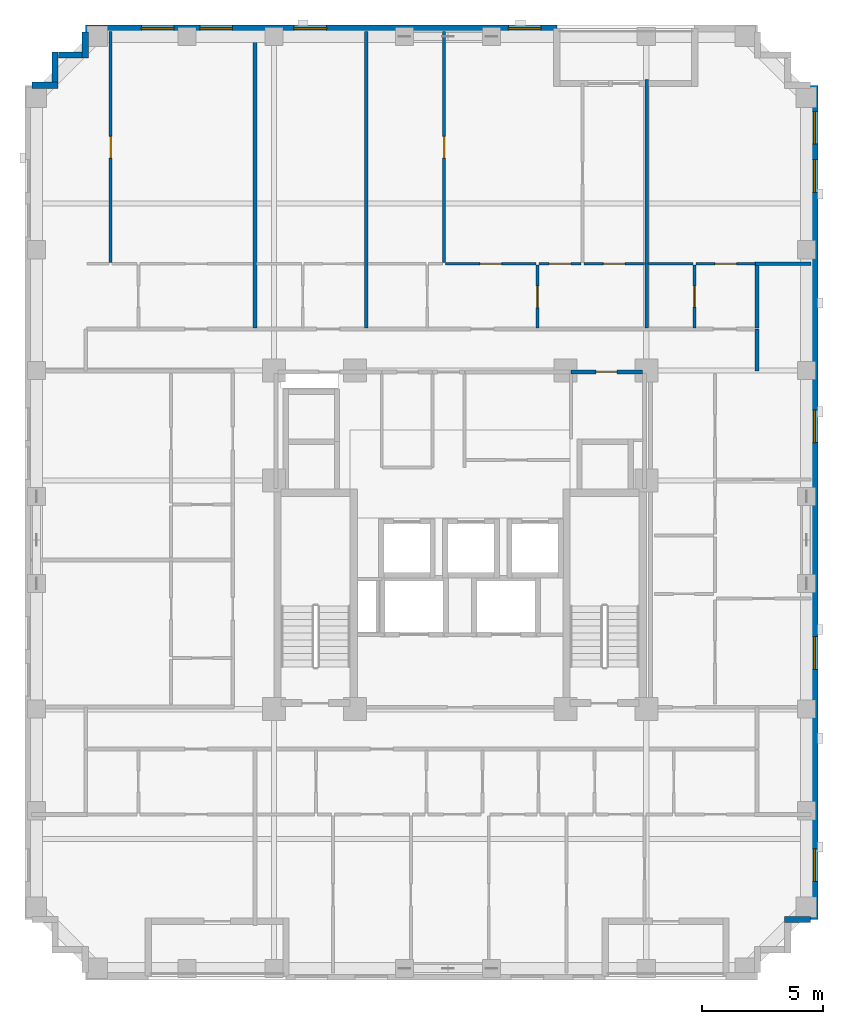
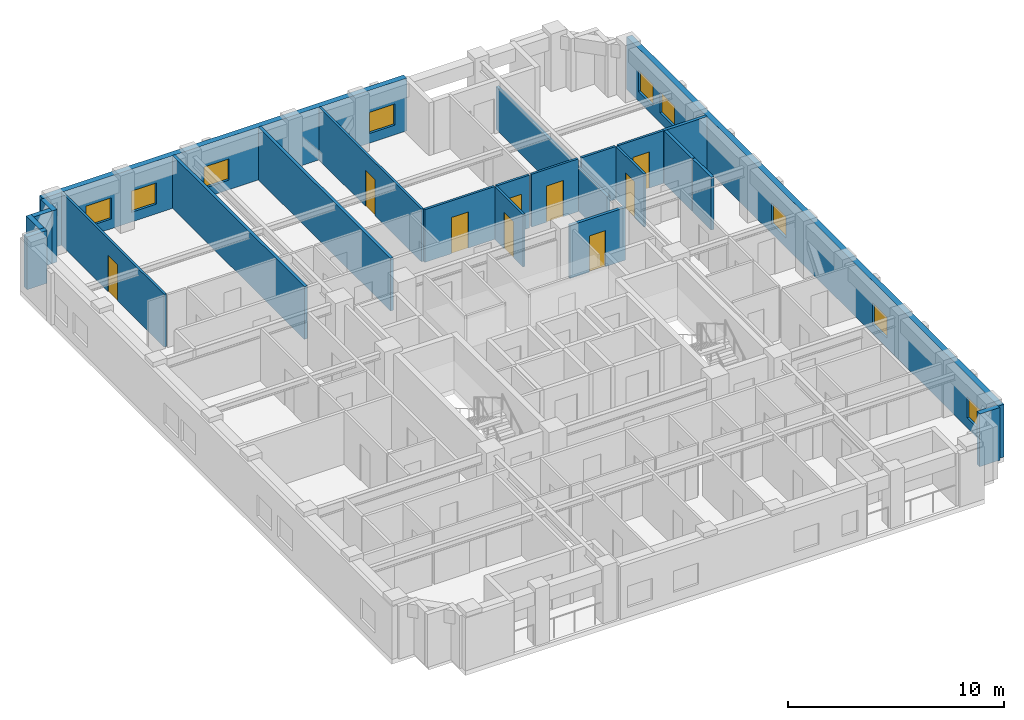
# One storey, part 7 of 11: 23 walls, 9 doors, 9 windows, 18 openings.
"""IFC4 building model written with IfcOpenShell, lengths in metres."""

from ifc_helpers import new_model, si_unit, derived_unit, direction, frame, frame_2d, origin, place, context, subcontext, project, spatial, rectangle, extrude, material, layer, layer_set, type_object, element, fill, save


model = new_model("IFC4")

# Units and contexts
model_context = context("Model", 3, precision=1e-05, world=origin(), true_north=direction((0.0, 1.0)))
body_context = subcontext(model_context, "Body", "Model", "MODEL_VIEW")
ifc_project = project(units=[si_unit("LENGTHUNIT", "METRE"), si_unit("AREAUNIT", "SQUARE_METRE"), si_unit("VOLUMEUNIT", "CUBIC_METRE"), si_unit("PLANEANGLEUNIT", "RADIAN"), si_unit("MASSUNIT", "GRAM", prefix="KILO"), derived_unit("THERMALTRANSMITTANCEUNIT", [(si_unit("MASSUNIT", "GRAM", prefix="KILO"), 1), (si_unit("TIMEUNIT", "SECOND"), -3), (si_unit("THERMODYNAMICTEMPERATUREUNIT", "KELVIN"), -1)])], contexts=[model_context])

# Site, building, storey
site_placement = place(None, origin())
site = spatial("IfcSite", under=ifc_project, at=site_placement, CompositionType="ELEMENT")
building_placement = place(site_placement, origin())
building = spatial("IfcBuilding", under=site, at=building_placement, Name="Korrvale Station Residences", CompositionType="ELEMENT")
storey_placement = place(building_placement, frame((0.0, 0.0, 143.89990234375)))
storey = spatial("IfcBuildingStorey", under=building, at=storey_placement, Name="L41", CompositionType="ELEMENT", Elevation=143.89990234375)

# Walls
ifc_material_1 = material(Name="Precast concrete C45/55", Category="concrete")
ifc_layer_1 = layer(ifc_material_1, 0.260009765625, Name="Precast concrete C45/55")
ifc_layer_set_1 = layer_set([ifc_layer_1], Name="Precast concrete C45/55")
wall_type_1 = type_object("IfcWallType", Name="WAL-EXT-LOG260", PredefinedType="SOLIDWALL", material=ifc_layer_set_1)
wall_1_placement = place(storey_placement, frame((7.802001953125, 40.800048828125, 0.0), z_axis=(0.0, 0.0, 1.0), x_axis=(1.0, 0.0, 0.0)))
element("IfcWall", 1, at=wall_1_placement, inside=storey, type_object=wall_type_1, Name="L41 Serrated Corner Precast Step NW-1", PredefinedType="SOLIDWALL", context=body_context, shape_type="SweptSolid", body=[
    extrude(rectangle(XDim=1.077880859375, YDim=0.260009765625, at=frame_2d((0.5390625, 0.0))), origin(), (0.0, 0.0, 1.0), 2.989990234375),
])
wall_2_placement = place(storey_placement, frame((8.75, 40.931884765625, 0.0), z_axis=(0.0, 0.0, 1.0), x_axis=(0.0, 1.0, 0.0)))
element("IfcWall", 2, at=wall_2_placement, inside=storey, type_object=wall_type_1, Name="L41 Serrated Corner Precast Step NW-2", PredefinedType="SOLIDWALL", context=body_context, shape_type="SweptSolid", body=[
    extrude(rectangle(XDim=1.248046875, YDim=0.260009765625, at=frame_2d((0.6240234375, 0.0))), origin(), (0.0, 0.0, 1.0), 2.989990234375),
])
wall_3_placement = place(storey_placement, frame((8.882080078125, 42.050048828125, 0.0), z_axis=(0.0, 0.0, 1.0), x_axis=(1.0, 0.0, 0.0)))
element("IfcWall", 3, at=wall_3_placement, inside=storey, type_object=wall_type_1, Name="L41 Serrated Corner Precast Step NW-3", PredefinedType="SOLIDWALL", context=body_context, shape_type="SweptSolid", body=[
    extrude(rectangle(XDim=0.98583984375, YDim=0.260009765625, at=frame_2d((0.492919921875, 0.0))), origin(), (0.0, 0.0, 1.0), 2.989990234375),
])
for number, where, z_axis, x_axis, name in (
    (4, (10.0, 41.919921875, 0.0), (0.0, 0.0, 1.0), (0.0, 1.0, 0.0), "L41 Serrated Corner Precast Step NW-4"),
    (5, (39.998046875, 6.300048828125, 0.0), (0.0, 0.0, 1.0), (-1.0, 0.0, 0.0), "L41 Serrated Corner Precast Step SE-1"),
):
    element("IfcWall", number, at=place(storey_placement, frame(where, z_axis=z_axis, x_axis=x_axis)), inside=storey, type_object=wall_type_1, Name=name, PredefinedType="SOLIDWALL", context=body_context, shape_type="SweptSolid", body=[
        extrude(rectangle(XDim=1.078125, YDim=0.260009765625, at=frame_2d((0.5390625, 0.0))), origin(), (0.0, 0.0, 1.0), 2.989990234375),
    ])

# Wall, openings, windows
ifc_layer_2 = layer(ifc_material_1, 0.300048828125, Name="Precast concrete C45/55")
ifc_layer_set_2 = layer_set([ifc_layer_2], Name="Precast concrete C45/55")
wall_type_2 = type_object("IfcWallType", Name="WAL-EXT-PC300", PredefinedType="SOLIDWALL", material=ifc_layer_set_2)
wall_4_placement = place(storey_placement, frame((10.0, 43.14990234375, 0.0), z_axis=(0.0, 0.0, 1.0), x_axis=(1.0, 0.0, 0.0)))
wall_4 = element("IfcWall", 6, at=wall_4_placement, inside=storey, type_object=wall_type_2, Name="L41 North Exterior Precast Wall 1", PredefinedType="SOLIDWALL", context=body_context, shape_type="SweptSolid", body=[
    extrude(rectangle(XDim=19.5, YDim=0.300048828125, at=frame_2d((9.75, 0.0))), origin(), (0.0, 0.0, 1.0), 2.989990234375),
])
opening_1_placement = place(wall_4_placement, frame((2.31494140625, 0.0, 0.550048828125)))
opening_1 = element("IfcOpeningElement", 7, at=opening_1_placement, cuts=wall_4, Name="Opening W-10", PredefinedType="OPENING", context=body_context, shape_type="SweptSolid", body=[
    extrude(rectangle(XDim=1.35009765625, YDim=1.199951171875, at=frame_2d((0.675048828125, 0.60009765625))), frame((0.0, 0.16015625, 0.0), z_axis=(0.0, -1.0, 0.0), x_axis=(1.0, 0.0, 0.0)), (0.0, 0.0, 1.0), 0.320068359375),
])
opening_2_placement = place(wall_4_placement, frame((4.735107421875, 0.0, 0.550048828125)))
opening_2 = element("IfcOpeningElement", 8, at=opening_2_placement, cuts=wall_4, Name="Opening W-10", PredefinedType="OPENING", context=body_context, shape_type="SweptSolid", body=[
    extrude(rectangle(XDim=1.35009765625, YDim=1.199951171875, at=frame_2d((0.675048828125, 0.60009765625))), frame((0.0, 0.16015625, 0.0), z_axis=(0.0, -1.0, 0.0), x_axis=(1.0, 0.0, 0.0)), (0.0, 0.0, 1.0), 0.320068359375),
])
opening_3_placement = place(wall_4_placement, frame((8.625, 0.0, 0.550048828125)))
opening_3 = element("IfcOpeningElement", 9, at=opening_3_placement, cuts=wall_4, Name="Opening W-10", PredefinedType="OPENING", context=body_context, shape_type="SweptSolid", body=[
    extrude(rectangle(XDim=1.35009765625, YDim=1.199951171875, at=frame_2d((0.675048828125, 0.60009765625))), frame((0.0, 0.16015625, 0.0), z_axis=(0.0, -1.0, 0.0), x_axis=(1.0, 0.0, 0.0)), (0.0, 0.0, 1.0), 0.320068359375),
])
opening_4_placement = place(wall_4_placement, frame((17.5, 0.0, 0.550048828125)))
opening_4 = element("IfcOpeningElement", 10, at=opening_4_placement, cuts=wall_4, Name="Opening W-10", PredefinedType="OPENING", context=body_context, shape_type="SweptSolid", body=[
    extrude(rectangle(XDim=1.35009765625, YDim=1.199951171875, at=frame_2d((0.675048828125, 0.60009765625))), frame((0.0, 0.16015625, 0.0), z_axis=(0.0, -1.0, 0.0), x_axis=(1.0, 0.0, 0.0)), (0.0, 0.0, 1.0), 0.320068359375),
])
ifc_material_2 = material(Name="Thermally broken aluminium frame with triple low-e glazing", Category="aluminium")
window_type = type_object("IfcWindowType", Name="WIN-W10", PartitioningType="SINGLE_PANEL", PredefinedType="WINDOW", material=ifc_material_2)
window_1_placement = place(opening_1_placement, origin())
window_1 = element("IfcWindow", 11, at=window_1_placement, inside=storey, type_object=window_type, Name="L41 Punched Window 09", OverallHeight=1.199951171875, OverallWidth=1.35009765625, PartitioningType="SINGLE_PANEL", PredefinedType="WINDOW", context=body_context, shape_type="SweptSolid", body=[
    extrude(rectangle(XDim=1.35009765625, YDim=1.199951171875, at=frame_2d((0.675048828125, 0.60009765625))), frame((0.0, 0.030029296875, 0.0), z_axis=(0.0, -1.0, 0.0), x_axis=(1.0, 0.0, 0.0)), (0.0, 0.0, 1.0), 0.06005859375),
])
fill(opening_1, window_1)
window_2_placement = place(opening_2_placement, origin())
window_2 = element("IfcWindow", 12, at=window_2_placement, inside=storey, type_object=window_type, Name="L41 Punched Window 10", OverallHeight=1.199951171875, OverallWidth=1.35009765625, PartitioningType="SINGLE_PANEL", PredefinedType="WINDOW", context=body_context, shape_type="SweptSolid", body=[
    extrude(rectangle(XDim=1.35009765625, YDim=1.199951171875, at=frame_2d((0.675048828125, 0.60009765625))), frame((0.0, 0.030029296875, 0.0), z_axis=(0.0, -1.0, 0.0), x_axis=(1.0, 0.0, 0.0)), (0.0, 0.0, 1.0), 0.06005859375),
])
fill(opening_2, window_2)
window_3_placement = place(opening_3_placement, origin())
window_3 = element("IfcWindow", 13, at=window_3_placement, inside=storey, type_object=window_type, Name="L41 Punched Window 11", OverallHeight=1.199951171875, OverallWidth=1.35009765625, PartitioningType="SINGLE_PANEL", PredefinedType="WINDOW", context=body_context, shape_type="SweptSolid", body=[
    extrude(rectangle(XDim=1.35009765625, YDim=1.199951171875, at=frame_2d((0.675048828125, 0.60009765625))), frame((0.0, 0.030029296875, 0.0), z_axis=(0.0, -1.0, 0.0), x_axis=(1.0, 0.0, 0.0)), (0.0, 0.0, 1.0), 0.06005859375),
])
fill(opening_3, window_3)
window_4_placement = place(opening_4_placement, origin())
window_4 = element("IfcWindow", 14, at=window_4_placement, inside=storey, type_object=window_type, Name="L41 Punched Window 12", OverallHeight=1.199951171875, OverallWidth=1.35009765625, PartitioningType="SINGLE_PANEL", PredefinedType="WINDOW", context=body_context, shape_type="SweptSolid", body=[
    extrude(rectangle(XDim=1.35009765625, YDim=1.199951171875, at=frame_2d((0.675048828125, 0.60009765625))), frame((0.0, 0.030029296875, 0.0), z_axis=(0.0, -1.0, 0.0), x_axis=(1.0, 0.0, 0.0)), (0.0, 0.0, 1.0), 0.06005859375),
])
fill(opening_4, window_4)

wall_5_placement = place(storey_placement, frame((40.14990234375, 40.800048828125, 0.0), z_axis=(0.0, 0.0, 1.0), x_axis=(0.0, -1.0, 0.0)))
wall_5 = element("IfcWall", 15, at=wall_5_placement, inside=storey, type_object=wall_type_2, Name="L41 East Exterior Precast Wall 1", PredefinedType="SOLIDWALL", context=body_context, shape_type="SweptSolid", body=[
    extrude(rectangle(XDim=34.5, YDim=0.300048828125, at=frame_2d((17.25, 0.0))), origin(), (0.0, 0.0, 1.0), 2.989990234375),
])
opening_5_placement = place(wall_5_placement, frame((31.574951171875, 0.0, 0.550048828125)))
opening_5 = element("IfcOpeningElement", 16, at=opening_5_placement, cuts=wall_5, Name="Opening W-10", PredefinedType="OPENING", context=body_context, shape_type="SweptSolid", body=[
    extrude(rectangle(XDim=1.35009765625, YDim=1.199951171875, at=frame_2d((0.675048828125, 0.60009765625))), frame((0.0, 0.16015625, 0.0), z_axis=(0.0, -1.0, 0.0), x_axis=(1.0, 0.0, 0.0)), (0.0, 0.0, 1.0), 0.320068359375),
])
opening_6_placement = place(wall_5_placement, frame((3.074951171875, 0.0, 0.550048828125)))
opening_6 = element("IfcOpeningElement", 17, at=opening_6_placement, cuts=wall_5, Name="Opening W-10", PredefinedType="OPENING", context=body_context, shape_type="SweptSolid", body=[
    extrude(rectangle(XDim=1.35009765625, YDim=1.199951171875, at=frame_2d((0.675048828125, 0.60009765625))), frame((0.0, 0.16015625, 0.0), z_axis=(0.0, -1.0, 0.0), x_axis=(1.0, 0.0, 0.0)), (0.0, 0.0, 1.0), 0.320068359375),
])
opening_7_placement = place(wall_5_placement, frame((1.0849609375, 0.0, 0.550048828125)))
opening_7 = element("IfcOpeningElement", 18, at=opening_7_placement, cuts=wall_5, Name="Opening W-10", PredefinedType="OPENING", context=body_context, shape_type="SweptSolid", body=[
    extrude(rectangle(XDim=1.35009765625, YDim=1.199951171875, at=frame_2d((0.675048828125, 0.60009765625))), frame((0.0, 0.16015625, 0.0), z_axis=(0.0, -1.0, 0.0), x_axis=(1.0, 0.0, 0.0)), (0.0, 0.0, 1.0), 0.320068359375),
])
opening_8_placement = place(wall_5_placement, frame((22.800048828125, 0.0, 0.550048828125)))
opening_8 = element("IfcOpeningElement", 19, at=opening_8_placement, cuts=wall_5, Name="Opening W-10", PredefinedType="OPENING", context=body_context, shape_type="SweptSolid", body=[
    extrude(rectangle(XDim=1.35009765625, YDim=1.199951171875, at=frame_2d((0.675048828125, 0.60009765625))), frame((0.0, 0.16015625, 0.0), z_axis=(0.0, -1.0, 0.0), x_axis=(1.0, 0.0, 0.0)), (0.0, 0.0, 1.0), 0.320068359375),
])
opening_9_placement = place(wall_5_placement, frame((13.425048828125, 0.0, 0.550048828125)))
opening_9 = element("IfcOpeningElement", 20, at=opening_9_placement, cuts=wall_5, Name="Opening W-10", PredefinedType="OPENING", context=body_context, shape_type="SweptSolid", body=[
    extrude(rectangle(XDim=1.35009765625, YDim=1.199951171875, at=frame_2d((0.675048828125, 0.60009765625))), frame((0.0, 0.16015625, 0.0), z_axis=(0.0, -1.0, 0.0), x_axis=(1.0, 0.0, 0.0)), (0.0, 0.0, 1.0), 0.320068359375),
])
window_5_placement = place(opening_5_placement, origin())
window_5 = element("IfcWindow", 21, at=window_5_placement, inside=storey, type_object=window_type, Name="L41 Punched Window 06", OverallHeight=1.199951171875, OverallWidth=1.35009765625, PartitioningType="SINGLE_PANEL", PredefinedType="WINDOW", context=body_context, shape_type="SweptSolid", body=[
    extrude(rectangle(XDim=1.35009765625, YDim=1.199951171875, at=frame_2d((0.675048828125, 0.60009765625))), frame((0.0, 0.030029296875, 0.0), z_axis=(0.0, -1.0, 0.0), x_axis=(1.0, 0.0, 0.0)), (0.0, 0.0, 1.0), 0.06005859375),
])
fill(opening_5, window_5)
window_6_placement = place(opening_6_placement, origin())
window_6 = element("IfcWindow", 22, at=window_6_placement, inside=storey, type_object=window_type, Name="L41 Punched Window 14", OverallHeight=1.199951171875, OverallWidth=1.35009765625, PartitioningType="SINGLE_PANEL", PredefinedType="WINDOW", context=body_context, shape_type="SweptSolid", body=[
    extrude(rectangle(XDim=1.35009765625, YDim=1.199951171875, at=frame_2d((0.675048828125, 0.60009765625))), frame((0.0, 0.030029296875, 0.0), z_axis=(0.0, -1.0, 0.0), x_axis=(1.0, 0.0, 0.0)), (0.0, 0.0, 1.0), 0.06005859375),
])
fill(opening_6, window_6)
window_7_placement = place(opening_7_placement, origin())
window_7 = element("IfcWindow", 23, at=window_7_placement, inside=storey, type_object=window_type, Name="L41 Punched Window 15", OverallHeight=1.199951171875, OverallWidth=1.35009765625, PartitioningType="SINGLE_PANEL", PredefinedType="WINDOW", context=body_context, shape_type="SweptSolid", body=[
    extrude(rectangle(XDim=1.35009765625, YDim=1.199951171875, at=frame_2d((0.675048828125, 0.60009765625))), frame((0.0, 0.030029296875, 0.0), z_axis=(0.0, -1.0, 0.0), x_axis=(1.0, 0.0, 0.0)), (0.0, 0.0, 1.0), 0.06005859375),
])
fill(opening_7, window_7)
window_8_placement = place(opening_8_placement, origin())
window_8 = element("IfcWindow", 24, at=window_8_placement, inside=storey, type_object=window_type, Name="L41 Punched Window 20", OverallHeight=1.199951171875, OverallWidth=1.35009765625, PartitioningType="SINGLE_PANEL", PredefinedType="WINDOW", context=body_context, shape_type="SweptSolid", body=[
    extrude(rectangle(XDim=1.35009765625, YDim=1.199951171875, at=frame_2d((0.675048828125, 0.60009765625))), frame((0.0, 0.030029296875, 0.0), z_axis=(0.0, -1.0, 0.0), x_axis=(1.0, 0.0, 0.0)), (0.0, 0.0, 1.0), 0.06005859375),
])
fill(opening_8, window_8)
window_9_placement = place(opening_9_placement, origin())
window_9 = element("IfcWindow", 25, at=window_9_placement, inside=storey, type_object=window_type, Name="L41 Punched Window 21", OverallHeight=1.199951171875, OverallWidth=1.35009765625, PartitioningType="SINGLE_PANEL", PredefinedType="WINDOW", context=body_context, shape_type="SweptSolid", body=[
    extrude(rectangle(XDim=1.35009765625, YDim=1.199951171875, at=frame_2d((0.675048828125, 0.60009765625))), frame((0.0, 0.030029296875, 0.0), z_axis=(0.0, -1.0, 0.0), x_axis=(1.0, 0.0, 0.0)), (0.0, 0.0, 1.0), 0.06005859375),
])
fill(opening_9, window_9)

# Wall, opening, door
ifc_material_3 = material(Name="Acoustic steel-stud gypsum board partition", Category="steel")
ifc_layer_3 = layer(ifc_material_3, 0.1201171875, Name="Acoustic steel-stud gypsum board partition")
ifc_layer_set_3 = layer_set([ifc_layer_3], Name="Acoustic steel-stud gypsum board partition")
wall_type_3 = type_object("IfcWallType", Name="WAL-PART-125", PredefinedType="PARTITIONING", material=ifc_layer_set_3)
wall_6_placement = place(storey_placement, frame((11.050048828125, 33.47998046875, 0.0), z_axis=(0.0, 0.0, 1.0), x_axis=(0.0, 1.0, 0.0)))
wall_6 = element("IfcWall", 26, at=wall_6_placement, inside=storey, type_object=wall_type_3, Name="L41 Suite Partition U03-V23", PredefinedType="PARTITIONING", context=body_context, shape_type="SweptSolid", body=[
    extrude(rectangle(XDim=9.5400390625, YDim=0.1201171875, at=frame_2d((4.77001953125, 0.0))), origin(), (0.0, 0.0, 1.0), 2.989990234375),
])
opening_10_placement = place(wall_6_placement, frame((4.304931640625, 0.0, 0.0)))
opening_10 = element("IfcOpeningElement", 27, at=opening_10_placement, cuts=wall_6, Name="Opening DI-900", PredefinedType="OPENING", context=body_context, shape_type="SweptSolid", body=[
    extrude(rectangle(XDim=0.89990234375, YDim=2.050048828125, at=frame_2d((0.449951171875, 1.02490234375))), frame((0.0, 0.070068359375, 0.0), z_axis=(0.0, -1.0, 0.0), x_axis=(1.0, 0.0, 0.0)), (0.0, 0.0, 1.0), 0.14013671875),
])
ifc_material_4 = material(Name="Painted solid-core timber interior room door", Category="wood")
door_type_1 = type_object("IfcDoorType", Name="DR-INT-900", OperationType="NOTDEFINED", PredefinedType="DOOR", material=ifc_material_4)
door_1_placement = place(opening_10_placement, origin())
door_1 = element("IfcDoor", 28, at=door_1_placement, inside=storey, type_object=door_type_1, Name="L41 Studio Apartment L41-U03 Walk-In Wardrobe Door", OperationType="SINGLE_SWING_RIGHT", OverallHeight=2.050048828125, OverallWidth=0.89990234375, PredefinedType="DOOR", context=body_context, shape_type="SweptSolid", body=[
    extrude(rectangle(XDim=0.89990234375, YDim=2.050048828125, at=frame_2d((0.449951171875, 1.02490234375))), frame((0.0, 0.02490234375, 0.0), z_axis=(0.0, -1.0, 0.0), x_axis=(1.0, 0.0, 0.0)), (0.0, 0.0, 1.0), 0.050048828125),
])
fill(opening_10, door_1)

wall_7_placement = place(storey_placement, frame((28.700927734375, 30.760009765625, 0.0), z_axis=(0.0, 0.0, 1.0), x_axis=(0.0, 1.0, 0.0)))
wall_7 = element("IfcWall", 29, at=wall_7_placement, inside=storey, type_object=wall_type_3, Name="L41 Suite Partition U05-V12", PredefinedType="PARTITIONING", context=body_context, shape_type="SweptSolid", body=[
    extrude(rectangle(XDim=2.60009765625, YDim=0.1201171875, at=frame_2d((1.300048828125, 0.0))), origin(), (0.0, 0.0, 1.0), 2.989990234375),
])
opening_11_placement = place(wall_7_placement, frame((0.85009765625, 0.0, 0.0)))
opening_11 = element("IfcOpeningElement", 30, at=opening_11_placement, cuts=wall_7, Name="Opening DI-900", PredefinedType="OPENING", context=body_context, shape_type="SweptSolid", body=[
    extrude(rectangle(XDim=0.89990234375, YDim=2.050048828125, at=frame_2d((0.449951171875, 1.02490234375))), frame((0.0, 0.070068359375, 0.0), z_axis=(0.0, -1.0, 0.0), x_axis=(1.0, 0.0, 0.0)), (0.0, 0.0, 1.0), 0.14013671875),
])
door_2_placement = place(opening_11_placement, origin())
door_2 = element("IfcDoor", 31, at=door_2_placement, inside=storey, type_object=door_type_1, Name="L41 Studio Apartment L41-U05 Kitchen Door", OperationType="SINGLE_SWING_RIGHT", OverallHeight=2.050048828125, OverallWidth=0.89990234375, PredefinedType="DOOR", context=body_context, shape_type="SweptSolid", body=[
    extrude(rectangle(XDim=0.89990234375, YDim=2.050048828125, at=frame_2d((0.449951171875, 1.02490234375))), frame((0.0, 0.02490234375, 0.0), z_axis=(0.0, -1.0, 0.0), x_axis=(1.0, 0.0, 0.0)), (0.0, 0.0, 1.0), 0.050048828125),
])
fill(opening_11, door_2)

wall_8_placement = place(storey_placement, frame((24.90087890625, 33.419921875, 0.0), z_axis=(0.0, 0.0, 1.0), x_axis=(1.0, 0.0, 0.0)))
wall_8 = element("IfcWall", 32, at=wall_8_placement, inside=storey, type_object=wall_type_3, Name="L41 Suite Partition U05-H14", PredefinedType="PARTITIONING", context=body_context, shape_type="SweptSolid", body=[
    extrude(rectangle(XDim=3.740234375, YDim=0.1201171875, at=frame_2d((1.8701171875, 0.0))), origin(), (0.0, 0.0, 1.0), 2.989990234375),
])
opening_12_placement = place(wall_8_placement, frame((1.419921875, 0.0, 0.0)))
opening_12 = element("IfcOpeningElement", 33, at=opening_12_placement, cuts=wall_8, Name="Opening DI-900", PredefinedType="OPENING", context=body_context, shape_type="SweptSolid", body=[
    extrude(rectangle(XDim=0.89990234375, YDim=2.050048828125, at=frame_2d((0.449951171875, 1.02490234375))), frame((0.0, 0.070068359375, 0.0), z_axis=(0.0, -1.0, 0.0), x_axis=(1.0, 0.0, 0.0)), (0.0, 0.0, 1.0), 0.14013671875),
])
door_3_placement = place(opening_12_placement, origin())
door_3 = element("IfcDoor", 34, at=door_3_placement, inside=storey, type_object=door_type_1, Name="L41 Studio Apartment L41-U05 Kitchen Door", OperationType="SINGLE_SWING_LEFT", OverallHeight=2.050048828125, OverallWidth=0.89990234375, PredefinedType="DOOR", context=body_context, shape_type="SweptSolid", body=[
    extrude(rectangle(XDim=0.89990234375, YDim=2.050048828125, at=frame_2d((0.449951171875, 1.02490234375))), frame((0.0, 0.02490234375, 0.0), z_axis=(0.0, -1.0, 0.0), x_axis=(1.0, 0.0, 0.0)), (0.0, 0.0, 1.0), 0.050048828125),
])
fill(opening_12, door_3)

wall_9_placement = place(storey_placement, frame((28.760986328125, 33.419921875, 0.0), z_axis=(0.0, 0.0, 1.0), x_axis=(1.0, 0.0, 0.0)))
wall_9 = element("IfcWall", 35, at=wall_9_placement, inside=storey, type_object=wall_type_3, Name="L41 Suite Partition U05-H24", PredefinedType="PARTITIONING", context=body_context, shape_type="SweptSolid", body=[
    extrude(rectangle(XDim=1.739013671875, YDim=0.1201171875, at=frame_2d((0.86962890625, 0.0))), origin(), (0.0, 0.0, 1.0), 2.989990234375),
])
opening_13_placement = place(wall_9_placement, frame((0.419921875, 0.0, 0.0)))
opening_13 = element("IfcOpeningElement", 36, at=opening_13_placement, cuts=wall_9, Name="Opening DI-900", PredefinedType="OPENING", context=body_context, shape_type="SweptSolid", body=[
    extrude(rectangle(XDim=0.89990234375, YDim=2.050048828125, at=frame_2d((0.449951171875, 1.02490234375))), frame((0.0, 0.070068359375, 0.0), z_axis=(0.0, -1.0, 0.0), x_axis=(1.0, 0.0, 0.0)), (0.0, 0.0, 1.0), 0.14013671875),
])
door_4_placement = place(opening_13_placement, origin())
door_4 = element("IfcDoor", 37, at=door_4_placement, inside=storey, type_object=door_type_1, Name="L41 Studio Apartment L41-U05 Utility and Laundry Room Door", OperationType="SINGLE_SWING_RIGHT", OverallHeight=2.050048828125, OverallWidth=0.89990234375, PredefinedType="DOOR", context=body_context, shape_type="SweptSolid", body=[
    extrude(rectangle(XDim=0.89990234375, YDim=2.050048828125, at=frame_2d((0.449951171875, 1.02490234375))), frame((0.0, 0.02490234375, 0.0), z_axis=(0.0, -1.0, 0.0), x_axis=(1.0, 0.0, 0.0)), (0.0, 0.0, 1.0), 0.050048828125),
])
fill(opening_13, door_4)

wall_10_placement = place(storey_placement, frame((30.6201171875, 33.419921875, 0.0), z_axis=(0.0, 0.0, 1.0), x_axis=(1.0, 0.0, 0.0)))
wall_10 = element("IfcWall", 38, at=wall_10_placement, inside=storey, type_object=wall_type_3, Name="L41 Suite Partition U05-H25", PredefinedType="PARTITIONING", context=body_context, shape_type="SweptSolid", body=[
    extrude(rectangle(XDim=2.5, YDim=0.1201171875, at=frame_2d((1.25, 0.0))), origin(), (0.0, 0.0, 1.0), 2.989990234375),
])
opening_14_placement = place(wall_10_placement, frame((0.800048828125, 0.0, 0.0)))
opening_14 = element("IfcOpeningElement", 39, at=opening_14_placement, cuts=wall_10, Name="Opening DI-900", PredefinedType="OPENING", context=body_context, shape_type="SweptSolid", body=[
    extrude(rectangle(XDim=0.89990234375, YDim=2.050048828125, at=frame_2d((0.449951171875, 1.02490234375))), frame((0.0, 0.070068359375, 0.0), z_axis=(0.0, -1.0, 0.0), x_axis=(1.0, 0.0, 0.0)), (0.0, 0.0, 1.0), 0.14013671875),
])
door_5_placement = place(opening_14_placement, origin())
door_5 = element("IfcDoor", 40, at=door_5_placement, inside=storey, type_object=door_type_1, Name="L41 Studio Apartment L41-U05 Utility and Laundry Room Door", OperationType="SINGLE_SWING_LEFT", OverallHeight=2.050048828125, OverallWidth=0.89990234375, PredefinedType="DOOR", context=body_context, shape_type="SweptSolid", body=[
    extrude(rectangle(XDim=0.89990234375, YDim=2.050048828125, at=frame_2d((0.449951171875, 1.02490234375))), frame((0.0, 0.02490234375, 0.0), z_axis=(0.0, -1.0, 0.0), x_axis=(1.0, 0.0, 0.0)), (0.0, 0.0, 1.0), 0.050048828125),
])
fill(opening_14, door_5)

wall_11_placement = place(storey_placement, frame((24.841064453125, 33.47998046875, 0.0), z_axis=(0.0, 0.0, 1.0), x_axis=(0.0, 1.0, 0.0)))
wall_11 = element("IfcWall", 41, at=wall_11_placement, inside=storey, type_object=wall_type_3, Name="L41 Suite Partition U05-V34", PredefinedType="PARTITIONING", context=body_context, shape_type="SweptSolid", body=[
    extrude(rectangle(XDim=9.5400390625, YDim=0.1201171875, at=frame_2d((4.77001953125, 0.0))), origin(), (0.0, 0.0, 1.0), 2.989990234375),
])
opening_15_placement = place(wall_11_placement, frame((4.304931640625, 0.0, 0.0)))
opening_15 = element("IfcOpeningElement", 42, at=opening_15_placement, cuts=wall_11, Name="Opening DI-900", PredefinedType="OPENING", context=body_context, shape_type="SweptSolid", body=[
    extrude(rectangle(XDim=0.89990234375, YDim=2.050048828125, at=frame_2d((0.449951171875, 1.02490234375))), frame((0.0, 0.070068359375, 0.0), z_axis=(0.0, -1.0, 0.0), x_axis=(1.0, 0.0, 0.0)), (0.0, 0.0, 1.0), 0.14013671875),
])
door_6_placement = place(opening_15_placement, origin())
door_6 = element("IfcDoor", 43, at=door_6_placement, inside=storey, type_object=door_type_1, Name="L41 Studio Apartment L41-U05 Walk-In Wardrobe Door", OperationType="SINGLE_SWING_RIGHT", OverallHeight=2.050048828125, OverallWidth=0.89990234375, PredefinedType="DOOR", context=body_context, shape_type="SweptSolid", body=[
    extrude(rectangle(XDim=0.89990234375, YDim=2.050048828125, at=frame_2d((0.449951171875, 1.02490234375))), frame((0.0, 0.02490234375, 0.0), z_axis=(0.0, -1.0, 0.0), x_axis=(1.0, 0.0, 0.0)), (0.0, 0.0, 1.0), 0.050048828125),
])
fill(opening_15, door_6)

wall_12_placement = place(storey_placement, frame((35.18994140625, 30.760009765625, 0.0), z_axis=(0.0, 0.0, 1.0), x_axis=(0.0, 1.0, 0.0)))
wall_12 = element("IfcWall", 44, at=wall_12_placement, inside=storey, type_object=wall_type_3, Name="L41 Suite Partition U06-V01", PredefinedType="PARTITIONING", context=body_context, shape_type="SweptSolid", body=[
    extrude(rectangle(XDim=2.60009765625, YDim=0.1201171875, at=frame_2d((1.300048828125, 0.0))), origin(), (0.0, 0.0, 1.0), 2.989990234375),
])
opening_16_placement = place(wall_12_placement, frame((0.8701171875, 0.0, 0.0)))
opening_16 = element("IfcOpeningElement", 45, at=opening_16_placement, cuts=wall_12, Name="Opening DB-860", PredefinedType="OPENING", context=body_context, shape_type="SweptSolid", body=[
    extrude(rectangle(XDim=0.860107421875, YDim=2.050048828125, at=frame_2d((0.43017578125, 1.02490234375))), frame((0.0, 0.070068359375, 0.0), z_axis=(0.0, -1.0, 0.0), x_axis=(1.0, 0.0, 0.0)), (0.0, 0.0, 1.0), 0.14013671875),
])
ifc_material_5 = material(Name="Moisture-resistant solid-core bathroom door", Category="timber")
door_type_2 = type_object("IfcDoorType", Name="DR-BATH-860", OperationType="NOTDEFINED", PredefinedType="DOOR", material=ifc_material_5)
door_7_placement = place(opening_16_placement, origin())
door_7 = element("IfcDoor", 46, at=door_7_placement, inside=storey, type_object=door_type_2, Name="L41 Studio Apartment L41-U06 Bathroom Door", OperationType="SINGLE_SWING_RIGHT", OverallHeight=2.050048828125, OverallWidth=0.860107421875, PredefinedType="DOOR", context=body_context, shape_type="SweptSolid", body=[
    extrude(rectangle(XDim=0.860107421875, YDim=2.050048828125, at=frame_2d((0.43017578125, 1.02490234375))), frame((0.0, 0.02490234375, 0.0), z_axis=(0.0, -1.0, 0.0), x_axis=(1.0, 0.0, 0.0)), (0.0, 0.0, 1.0), 0.050048828125),
])
fill(opening_16, door_7)

# Wall
wall_13_placement = place(storey_placement, frame((33.280029296875, 33.419921875, 0.0), z_axis=(0.0, 0.0, 1.0), x_axis=(1.0, 0.0, 0.0)))
element("IfcWall", 47, at=wall_13_placement, inside=storey, type_object=wall_type_3, Name="L41 Suite Partition U06-H02", PredefinedType="PARTITIONING", context=body_context, shape_type="SweptSolid", body=[
    extrude(rectangle(XDim=1.849853515625, YDim=0.1201171875, at=frame_2d((0.9248046875, 0.0))), origin(), (0.0, 0.0, 1.0), 2.989990234375),
])

# Wall, opening, door
wall_14_placement = place(storey_placement, frame((35.25, 33.419921875, 0.0), z_axis=(0.0, 0.0, 1.0), x_axis=(1.0, 0.0, 0.0)))
wall_14 = element("IfcWall", 48, at=wall_14_placement, inside=storey, type_object=wall_type_3, Name="L41 Suite Partition U06-H12", PredefinedType="PARTITIONING", context=body_context, shape_type="SweptSolid", body=[
    extrude(rectangle(XDim=2.469970703125, YDim=0.1201171875, at=frame_2d((1.23486328125, 0.0))), origin(), (0.0, 0.0, 1.0), 2.989990234375),
])
opening_17_placement = place(wall_14_placement, frame((0.784912109375, 0.0, 0.0)))
opening_17 = element("IfcOpeningElement", 49, at=opening_17_placement, cuts=wall_14, Name="Opening DI-900", PredefinedType="OPENING", context=body_context, shape_type="SweptSolid", body=[
    extrude(rectangle(XDim=0.89990234375, YDim=2.050048828125, at=frame_2d((0.449951171875, 1.02490234375))), frame((0.0, 0.070068359375, 0.0), z_axis=(0.0, -1.0, 0.0), x_axis=(1.0, 0.0, 0.0)), (0.0, 0.0, 1.0), 0.14013671875),
])
door_8_placement = place(opening_17_placement, origin())
door_8 = element("IfcDoor", 50, at=door_8_placement, inside=storey, type_object=door_type_1, Name="L41 Studio Apartment L41-U06 Kitchen Door", OperationType="SINGLE_SWING_LEFT", OverallHeight=2.050048828125, OverallWidth=0.89990234375, PredefinedType="DOOR", context=body_context, shape_type="SweptSolid", body=[
    extrude(rectangle(XDim=0.89990234375, YDim=2.050048828125, at=frame_2d((0.449951171875, 1.02490234375))), frame((0.0, 0.02490234375, 0.0), z_axis=(0.0, -1.0, 0.0), x_axis=(1.0, 0.0, 0.0)), (0.0, 0.0, 1.0), 0.050048828125),
])
fill(opening_17, door_8)

ifc_material_6 = material(Name="Fire-rated twin-stud gypsum and mineral wool shaftwall assembly", Category="gypsum")
ifc_layer_4 = layer(ifc_material_6, 0.159912109375, Name="Fire-rated twin-stud gypsum and mineral wool shaftwall assembly")
ifc_layer_set_4 = layer_set([ifc_layer_4], Name="Fire-rated twin-stud gypsum and mineral wool shaftwall assembly")
wall_type_4 = type_object("IfcWallType", Name="WAL-PART-200", PredefinedType="PARTITIONING", material=ifc_layer_set_4)
wall_15_placement = place(storey_placement, frame((30.080078125, 28.949951171875, 0.0), z_axis=(0.0, 0.0, 1.0), x_axis=(1.0, 0.0, 0.0)))
wall_15 = element("IfcWall", 51, at=wall_15_placement, inside=storey, type_object=wall_type_4, Name="L41 Core Partition CW-CS-N", PredefinedType="PARTITIONING", context=body_context, shape_type="SweptSolid", body=[
    extrude(rectangle(XDim=2.9599609375, YDim=0.159912109375, at=frame_2d((1.47998046875, 0.0))), origin(), (0.0, 0.0, 1.0), 2.989990234375),
])
opening_18_placement = place(wall_15_placement, frame((1.044921875, 0.0, 0.0)))
opening_18 = element("IfcOpeningElement", 52, at=opening_18_placement, cuts=wall_15, Name="Opening DB-860", PredefinedType="OPENING", context=body_context, shape_type="SweptSolid", body=[
    extrude(rectangle(XDim=0.860107421875, YDim=2.050048828125, at=frame_2d((0.43017578125, 1.02490234375))), frame((0.0, 0.08984375, 0.0), z_axis=(0.0, -1.0, 0.0), x_axis=(1.0, 0.0, 0.0)), (0.0, 0.0, 1.0), 0.179931640625),
])
door_9_placement = place(opening_18_placement, origin())
door_9 = element("IfcDoor", 53, at=door_9_placement, inside=storey, type_object=door_type_2, Name="L41 Parcel Room Door", OperationType="SINGLE_SWING_LEFT", OverallHeight=2.050048828125, OverallWidth=0.860107421875, PredefinedType="DOOR", context=body_context, shape_type="SweptSolid", body=[
    extrude(rectangle(XDim=0.860107421875, YDim=2.050048828125, at=frame_2d((0.43017578125, 1.02490234375))), frame((0.0, 0.02490234375, 0.0), z_axis=(0.0, -1.0, 0.0), x_axis=(1.0, 0.0, 0.0)), (0.0, 0.0, 1.0), 0.050048828125),
])
fill(opening_18, door_9)

# Walls
wall_16_placement = place(storey_placement, frame((37.780029296875, 28.97998046875, 0.0), z_axis=(0.0, 0.0, 1.0), x_axis=(0.0, 1.0, 0.0)))
element("IfcWall", 54, at=wall_16_placement, inside=storey, type_object=wall_type_4, Name="L41 Corridor North East Cap", PredefinedType="PARTITIONING", context=body_context, shape_type="SweptSolid", body=[
    extrude(rectangle(XDim=1.739990234375, YDim=0.159912109375, at=frame_2d((0.8701171875, 0.0))), origin(), (0.0, 0.0, 1.0), 2.989990234375),
])
for number, where, z_axis, x_axis, name in (
    (55, (17.02392578125, 30.760009765625, 0.0), (0.0, 0.0, 1.0), (0.0, 1.0, 0.0), "L41 Demising Wall U04-W"),
    (56, (21.62109375, 30.760009765625, 0.0), (0.0, 0.0, 1.0), (0.0, 1.0, 0.0), "L41 Demising Wall U05-W"),
):
    element("IfcWall", number, at=place(storey_placement, frame(where, z_axis=z_axis, x_axis=x_axis)), inside=storey, type_object=wall_type_4, Name=name, PredefinedType="PARTITIONING", context=body_context, shape_type="SweptSolid", body=[
        extrude(rectangle(XDim=12.260009765625, YDim=0.159912109375, at=frame_2d((6.1298828125, 0.0))), origin(), (0.0, 0.0, 1.0), 2.989990234375),
    ])
wall_17_placement = place(storey_placement, frame((37.679931640625, 33.419921875, 0.0), z_axis=(0.0, 0.0, 1.0), x_axis=(1.0, 0.0, 0.0)))
element("IfcWall", 57, at=wall_17_placement, inside=storey, type_object=wall_type_4, Name="L41 Corner Step Wall U06-R", PredefinedType="PARTITIONING", context=body_context, shape_type="SweptSolid", body=[
    extrude(rectangle(XDim=2.340087890625, YDim=0.159912109375, at=frame_2d((1.169921875, 0.0))), origin(), (0.0, 0.0, 1.0), 2.989990234375),
])
wall_18_placement = place(storey_placement, frame((37.780029296875, 30.760009765625, 0.0), z_axis=(0.0, 0.0, 1.0), x_axis=(0.0, 1.0, 0.0)))
element("IfcWall", 58, at=wall_18_placement, inside=storey, type_object=wall_type_4, Name="L41 Corner Step Cheek U06-R", PredefinedType="PARTITIONING", context=body_context, shape_type="SweptSolid", body=[
    extrude(rectangle(XDim=2.659912109375, YDim=0.159912109375, at=frame_2d((1.330078125, 0.0))), origin(), (0.0, 0.0, 1.0), 2.989990234375),
])
wall_19_placement = place(storey_placement, frame((33.219970703125, 30.760009765625, 0.0), z_axis=(0.0, 0.0, 1.0), x_axis=(0.0, 1.0, 0.0)))
element("IfcWall", 59, at=wall_19_placement, inside=storey, type_object=wall_type_4, Name="L41 Demising Wall U06-W", PredefinedType="PARTITIONING", context=body_context, shape_type="SweptSolid", body=[
    extrude(rectangle(XDim=10.280029296875, YDim=0.159912109375, at=frame_2d((5.14013671875, 0.0))), origin(), (0.0, 0.0, 1.0), 2.426025390625),
])

save(model, "model.ifc")
